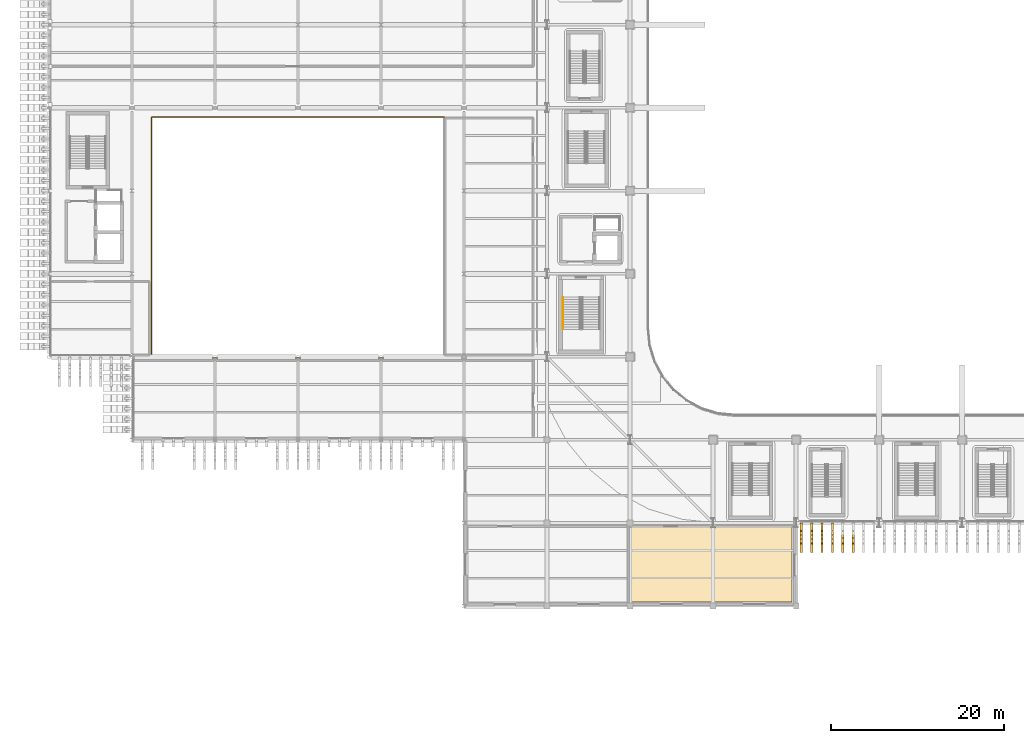
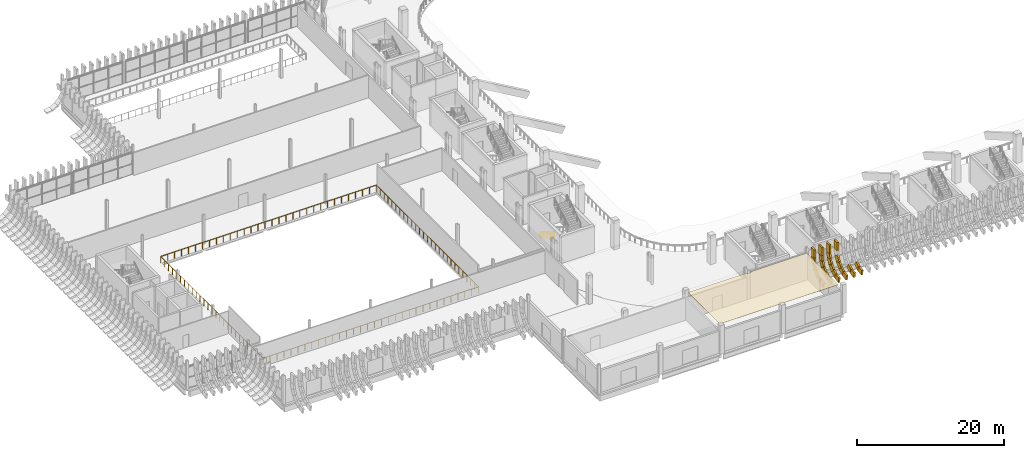
# One storey, part 70 of 100: 28 coverings, 2 railings.
"""IFC4 building model written with IfcOpenShell, lengths in metres."""

from ifc_helpers import new_model, si_unit, direction, frame, origin, origin_2d, place, context, subcontext, project, spatial, polyline, rectangle, circle, outline, extrude, material, layer, layer_set, material_profile, profile_set, type_object, element, save


model = new_model("IFC4")

# Units and contexts
model_context = context("Model", 3, precision=1e-05, world=origin(), true_north=direction((0.0, 1.0)))
body_context = subcontext(model_context, "Body", "Model", "MODEL_VIEW")
ifc_project = project(units=[si_unit("LENGTHUNIT", "METRE"), si_unit("AREAUNIT", "SQUARE_METRE"), si_unit("VOLUMEUNIT", "CUBIC_METRE"), si_unit("PLANEANGLEUNIT", "RADIAN"), si_unit("MASSUNIT", "GRAM", prefix="KILO")], contexts=[model_context])

# Site, building, storey
site_placement = place(None, origin())
site = spatial("IfcSite", under=ifc_project, at=site_placement, CompositionType="ELEMENT")
building_placement = place(site_placement, origin())
building = spatial("IfcBuilding", under=site, at=building_placement, Name="Caelomonte Colonnade Arena", CompositionType="ELEMENT")
storey_placement = place(building_placement, origin())
storey = spatial("IfcBuildingStorey", under=building, at=storey_placement, Name="L00", CompositionType="ELEMENT", Elevation=0.0)

# Coverings
ifc_material_1 = material(Name="Precast travertine cladding", Category="masonry")
ifc_material_profile = material_profile(ifc_material_1, rectangle(XDim=0.260009765625, YDim=0.85009765625, at=origin_2d()), Name="FIN260X850")
ifc_profile_set = profile_set([ifc_material_profile], Name="Precast travertine cladding")
covering_type_1 = type_object("IfcCoveringType", Name="ENV-FN-SKIRT", PredefinedType="CLADDING", material=ifc_profile_set)
covering_1_placement = place(storey_placement, frame((87.0, 18.779052734375, 3.360107421875), z_axis=(0.0, 0.0, 1.0), x_axis=(-1.0, 0.0, 0.0)))
element("IfcCovering", 1, at=covering_1_placement, inside=storey, type_object=covering_type_1, Name="V1 L00 upper classical fin stem 246", PredefinedType="CLADDING", context=body_context, shape_type="SweptSolid", body=[
    extrude(rectangle(XDim=0.260009765625, YDim=0.85009765625, at=origin_2d()), origin(), (0.0, 0.0, 1.0), 1.4599609375),
])
for number, where, z_axis, x_axis, name in (
    (2, (87.0, 18.785888671875, 3.474609375), (0.0, -0.153076342973, -0.988214366027), (-1.0, 0.0, 0.0), "V1 L00 splayed classical fin skirt chord 1 (246)"),
    (3, (87.0, 18.65869140625, 2.563232421875), (0.0, -0.444692864571, -0.89568312265), (-1.0, 0.0, 0.0), "V1 L00 splayed classical fin skirt chord 2 (246)"),
    (4, (87.0, 18.26171875, 1.733154296875), (0.0, -0.694646381209, -0.71935137803), (-1.0, 0.0, 0.0), "V1 L00 splayed classical fin skirt chord 3 (246)"),
):
    element("IfcCovering", number, at=place(storey_placement, frame(where, z_axis=z_axis, x_axis=x_axis)), inside=storey, type_object=covering_type_1, Name=name, PredefinedType="CLADDING", context=body_context, shape_type="SweptSolid", body=[
        extrude(rectangle(XDim=0.260009765625, YDim=0.85009765625, at=origin_2d()), origin(), (0.0, 0.0, 1.0), 1.008056640625),
    ])
covering_2_placement = place(storey_placement, frame((87.0, 17.63232421875, 1.061767578125), z_axis=(0.0, -0.879676382338, -0.475572772935), x_axis=(-1.0, 0.0, 0.0)))
element("IfcCovering", 5, at=covering_2_placement, inside=storey, type_object=covering_type_1, Name="V1 L00 splayed classical fin skirt chord 4 (246)", PredefinedType="CLADDING", context=body_context, shape_type="SweptSolid", body=[
    extrude(rectangle(XDim=0.260009765625, YDim=0.85009765625, at=origin_2d()), origin(), (0.0, 0.0, 1.0), 1.0078125),
])
covering_3_placement = place(storey_placement, frame((87.0, 16.82958984375, 0.6123046875), z_axis=(0.0, -0.982287485173, -0.187380085582), x_axis=(-1.0, 0.0, 0.0)))
element("IfcCovering", 6, at=covering_3_placement, inside=storey, type_object=covering_type_1, Name="V1 L00 splayed classical fin skirt chord 5 (246)", PredefinedType="CLADDING", context=body_context, shape_type="SweptSolid", body=[
    extrude(rectangle(XDim=0.260009765625, YDim=0.85009765625, at=origin_2d()), origin(), (0.0, 0.0, 1.0), 0.962890625),
])
covering_4_placement = place(storey_placement, frame((88.199951171875, 18.779052734375, 3.360107421875), z_axis=(0.0, 0.0, 1.0), x_axis=(-1.0, 0.0, 0.0)))
element("IfcCovering", 7, at=covering_4_placement, inside=storey, type_object=covering_type_1, Name="V1 L00 upper classical fin stem 247", PredefinedType="CLADDING", context=body_context, shape_type="SweptSolid", body=[
    extrude(rectangle(XDim=0.260009765625, YDim=0.85009765625, at=origin_2d()), origin(), (0.0, 0.0, 1.0), 1.4599609375),
])
for number, where, z_axis, x_axis, name in (
    (8, (88.199951171875, 18.785888671875, 3.474609375), (0.0, -0.153076342973, -0.988214366027), (-1.0, 0.0, 0.0), "V1 L00 splayed classical fin skirt chord 1 (247)"),
    (9, (88.199951171875, 18.65869140625, 2.563232421875), (0.0, -0.444692864571, -0.89568312265), (-1.0, 0.0, 0.0), "V1 L00 splayed classical fin skirt chord 2 (247)"),
    (10, (88.199951171875, 18.26171875, 1.733154296875), (0.0, -0.694646381209, -0.71935137803), (-1.0, 0.0, 0.0), "V1 L00 splayed classical fin skirt chord 3 (247)"),
):
    element("IfcCovering", number, at=place(storey_placement, frame(where, z_axis=z_axis, x_axis=x_axis)), inside=storey, type_object=covering_type_1, Name=name, PredefinedType="CLADDING", context=body_context, shape_type="SweptSolid", body=[
        extrude(rectangle(XDim=0.260009765625, YDim=0.85009765625, at=origin_2d()), origin(), (0.0, 0.0, 1.0), 1.008056640625),
    ])
covering_5_placement = place(storey_placement, frame((88.199951171875, 17.63232421875, 1.061767578125), z_axis=(0.0, -0.879676382338, -0.475572772935), x_axis=(-1.0, 0.0, 0.0)))
element("IfcCovering", 11, at=covering_5_placement, inside=storey, type_object=covering_type_1, Name="V1 L00 splayed classical fin skirt chord 4 (247)", PredefinedType="CLADDING", context=body_context, shape_type="SweptSolid", body=[
    extrude(rectangle(XDim=0.260009765625, YDim=0.85009765625, at=origin_2d()), origin(), (0.0, 0.0, 1.0), 1.0078125),
])
covering_6_placement = place(storey_placement, frame((88.199951171875, 16.82958984375, 0.6123046875), z_axis=(0.0, -0.982287485173, -0.187380085582), x_axis=(-1.0, 0.0, 0.0)))
element("IfcCovering", 12, at=covering_6_placement, inside=storey, type_object=covering_type_1, Name="V1 L00 splayed classical fin skirt chord 5 (247)", PredefinedType="CLADDING", context=body_context, shape_type="SweptSolid", body=[
    extrude(rectangle(XDim=0.260009765625, YDim=0.85009765625, at=origin_2d()), origin(), (0.0, 0.0, 1.0), 0.962890625),
])
covering_7_placement = place(storey_placement, frame((89.39990234375, 18.779052734375, 3.360107421875), z_axis=(0.0, 0.0, 1.0), x_axis=(-1.0, 0.0, 0.0)))
element("IfcCovering", 13, at=covering_7_placement, inside=storey, type_object=covering_type_1, Name="V1 L00 upper classical fin stem 248", PredefinedType="CLADDING", context=body_context, shape_type="SweptSolid", body=[
    extrude(rectangle(XDim=0.260009765625, YDim=0.85009765625, at=origin_2d()), origin(), (0.0, 0.0, 1.0), 1.4599609375),
])
for number, where, z_axis, x_axis, name in (
    (14, (89.39990234375, 18.785888671875, 3.474609375), (0.0, -0.153076342973, -0.988214366027), (-1.0, 0.0, 0.0), "V1 L00 splayed classical fin skirt chord 1 (248)"),
    (15, (89.39990234375, 18.65869140625, 2.563232421875), (0.0, -0.444692864571, -0.89568312265), (-1.0, 0.0, 0.0), "V1 L00 splayed classical fin skirt chord 2 (248)"),
    (16, (89.39990234375, 18.26171875, 1.733154296875), (0.0, -0.694646381209, -0.71935137803), (-1.0, 0.0, 0.0), "V1 L00 splayed classical fin skirt chord 3 (248)"),
):
    element("IfcCovering", number, at=place(storey_placement, frame(where, z_axis=z_axis, x_axis=x_axis)), inside=storey, type_object=covering_type_1, Name=name, PredefinedType="CLADDING", context=body_context, shape_type="SweptSolid", body=[
        extrude(rectangle(XDim=0.260009765625, YDim=0.85009765625, at=origin_2d()), origin(), (0.0, 0.0, 1.0), 1.008056640625),
    ])
covering_8_placement = place(storey_placement, frame((89.39990234375, 17.63232421875, 1.061767578125), z_axis=(0.0, -0.879676382338, -0.475572772935), x_axis=(-1.0, 0.0, 0.0)))
element("IfcCovering", 17, at=covering_8_placement, inside=storey, type_object=covering_type_1, Name="V1 L00 splayed classical fin skirt chord 4 (248)", PredefinedType="CLADDING", context=body_context, shape_type="SweptSolid", body=[
    extrude(rectangle(XDim=0.260009765625, YDim=0.85009765625, at=origin_2d()), origin(), (0.0, 0.0, 1.0), 1.0078125),
])
covering_9_placement = place(storey_placement, frame((89.39990234375, 16.82958984375, 0.6123046875), z_axis=(0.0, -0.982287485173, -0.187380085582), x_axis=(-1.0, 0.0, 0.0)))
element("IfcCovering", 18, at=covering_9_placement, inside=storey, type_object=covering_type_1, Name="V1 L00 splayed classical fin skirt chord 5 (248)", PredefinedType="CLADDING", context=body_context, shape_type="SweptSolid", body=[
    extrude(rectangle(XDim=0.260009765625, YDim=0.85009765625, at=origin_2d()), origin(), (0.0, 0.0, 1.0), 0.962890625),
])
covering_10_placement = place(storey_placement, frame((90.60009765625, 18.779052734375, 3.360107421875), z_axis=(0.0, 0.0, 1.0), x_axis=(-1.0, 0.0, 0.0)))
element("IfcCovering", 19, at=covering_10_placement, inside=storey, type_object=covering_type_1, Name="V1 L00 upper classical fin stem 249", PredefinedType="CLADDING", context=body_context, shape_type="SweptSolid", body=[
    extrude(rectangle(XDim=0.260009765625, YDim=0.85009765625, at=origin_2d()), origin(), (0.0, 0.0, 1.0), 1.4599609375),
])
for number, where, z_axis, x_axis, name in (
    (20, (90.60009765625, 18.65869140625, 2.563232421875), (0.0, -0.444692864571, -0.89568312265), (-1.0, 0.0, 0.0), "V1 L00 splayed classical fin skirt chord 2 (249)"),
    (21, (90.60009765625, 18.26171875, 1.733154296875), (0.0, -0.694646381209, -0.71935137803), (-1.0, 0.0, 0.0), "V1 L00 splayed classical fin skirt chord 3 (249)"),
):
    element("IfcCovering", number, at=place(storey_placement, frame(where, z_axis=z_axis, x_axis=x_axis)), inside=storey, type_object=covering_type_1, Name=name, PredefinedType="CLADDING", context=body_context, shape_type="SweptSolid", body=[
        extrude(rectangle(XDim=0.260009765625, YDim=0.85009765625, at=origin_2d()), origin(), (0.0, 0.0, 1.0), 1.008056640625),
    ])
covering_11_placement = place(storey_placement, frame((90.60009765625, 17.63232421875, 1.061767578125), z_axis=(0.0, -0.879676382338, -0.475572772935), x_axis=(-1.0, 0.0, 0.0)))
element("IfcCovering", 22, at=covering_11_placement, inside=storey, type_object=covering_type_1, Name="V1 L00 splayed classical fin skirt chord 4 (249)", PredefinedType="CLADDING", context=body_context, shape_type="SweptSolid", body=[
    extrude(rectangle(XDim=0.260009765625, YDim=0.85009765625, at=origin_2d()), origin(), (0.0, 0.0, 1.0), 1.0078125),
])
covering_12_placement = place(storey_placement, frame((90.60009765625, 16.82958984375, 0.6123046875), z_axis=(0.0, -0.982287485173, -0.187380085582), x_axis=(-1.0, 0.0, 0.0)))
element("IfcCovering", 23, at=covering_12_placement, inside=storey, type_object=covering_type_1, Name="V1 L00 splayed classical fin skirt chord 5 (249)", PredefinedType="CLADDING", context=body_context, shape_type="SweptSolid", body=[
    extrude(rectangle(XDim=0.260009765625, YDim=0.85009765625, at=origin_2d()), origin(), (0.0, 0.0, 1.0), 0.962890625),
])
covering_13_placement = place(storey_placement, frame((91.800048828125, 17.63232421875, 1.061767578125), z_axis=(0.0, -0.879676382338, -0.475572772935), x_axis=(-1.0, 0.0, 0.0)))
element("IfcCovering", 24, at=covering_13_placement, inside=storey, type_object=covering_type_1, Name="V1 L00 splayed classical fin skirt chord 4 (250)", PredefinedType="CLADDING", context=body_context, shape_type="SweptSolid", body=[
    extrude(rectangle(XDim=0.260009765625, YDim=0.85009765625, at=origin_2d()), origin(), (0.0, 0.0, 1.0), 1.0078125),
])
covering_14_placement = place(storey_placement, frame((91.800048828125, 16.82958984375, 0.6123046875), z_axis=(0.0, -0.982287485173, -0.187380085582), x_axis=(-1.0, 0.0, 0.0)))
element("IfcCovering", 25, at=covering_14_placement, inside=storey, type_object=covering_type_1, Name="V1 L00 splayed classical fin skirt chord 5 (250)", PredefinedType="CLADDING", context=body_context, shape_type="SweptSolid", body=[
    extrude(rectangle(XDim=0.260009765625, YDim=0.85009765625, at=origin_2d()), origin(), (0.0, 0.0, 1.0), 0.962890625),
])
covering_15_placement = place(storey_placement, frame((93.0, 17.63232421875, 1.061767578125), z_axis=(0.0, -0.879676382338, -0.475572772935), x_axis=(-1.0, 0.0, 0.0)))
element("IfcCovering", 26, at=covering_15_placement, inside=storey, type_object=covering_type_1, Name="V1 L00 splayed classical fin skirt chord 4 (251)", PredefinedType="CLADDING", context=body_context, shape_type="SweptSolid", body=[
    extrude(rectangle(XDim=0.260009765625, YDim=0.85009765625, at=origin_2d()), origin(), (0.0, 0.0, 1.0), 1.0078125),
])
covering_16_placement = place(storey_placement, frame((93.0, 16.82958984375, 0.6123046875), z_axis=(0.0, -0.982287485173, -0.187380085582), x_axis=(-1.0, 0.0, 0.0)))
element("IfcCovering", 27, at=covering_16_placement, inside=storey, type_object=covering_type_1, Name="V1 L00 splayed classical fin skirt chord 5 (251)", PredefinedType="CLADDING", context=body_context, shape_type="SweptSolid", body=[
    extrude(rectangle(XDim=0.260009765625, YDim=0.85009765625, at=origin_2d()), origin(), (0.0, 0.0, 1.0), 0.962890625),
])

# Railing
ifc_material_2 = material(Name="Painted galvanized steel handrail and posts", Category="steel")
railing_type_1 = type_object("IfcRailingType", Name="ENV-RL-GRD1", PredefinedType="GUARDRAIL", material=ifc_material_2)
railing_1_placement = place(storey_placement, frame((45.719970703125, 38.280029296875, 0.0)))
element("IfcRailing", 28, at=railing_1_placement, inside=storey, type_object=railing_type_1, Name="Practice court gallery guard 1", PredefinedType="GUARDRAIL", context=body_context, shape_type="SweptSolid", body=[
    extrude(circle(Radius=0.02392578125, at=origin_2d()), frame((0.0, 0.03125, 1.076171875), z_axis=(0.0, 1.0, 0.0), x_axis=(-1.0, 0.0, 0.0)), (0.0, 0.0, 1.0), 27.777587890625),
    extrude(circle(Radius=0.02392578125, at=origin_2d()), frame((-0.03125, 27.840087890625, 1.076171875), z_axis=(-1.0, 0.0, 0.0), x_axis=(0.0, -1.0, 0.0)), (0.0, 0.0, 1.0), 33.777587890625),
    extrude(circle(Radius=0.02392578125, at=origin_2d()), frame((-33.840087890625, 27.808837890625, 1.076171875), z_axis=(0.0, -1.0, 0.0), x_axis=(1.0, 0.0, 0.0)), (0.0, 0.0, 1.0), 27.777587890625),
    extrude(circle(Radius=0.02392578125, at=origin_2d()), frame((-33.808837890625, 0.0, 1.076171875), z_axis=(1.0, 0.0, 0.0), x_axis=(0.0, 1.0, 0.0)), (0.0, 0.0, 1.0), 33.777587890625),
    extrude(circle(Radius=0.02099609375, at=origin_2d()), origin(), (0.0, 0.0, 1.0), 1.048095703125),
    extrude(circle(Radius=0.02099609375, at=origin_2d()), frame((0.0, 1.07080078125, 0.0)), (0.0, 0.0, 1.0), 1.048095703125),
    extrude(circle(Radius=0.02099609375, at=origin_2d()), frame((0.0, 2.1416015625, 0.0)), (0.0, 0.0, 1.0), 1.048095703125),
    extrude(circle(Radius=0.02099609375, at=origin_2d()), frame((0.0, 3.21240234375, 0.0)), (0.0, 0.0, 1.0), 1.048095703125),
    extrude(circle(Radius=0.02099609375, at=origin_2d()), frame((0.0, 4.283203125, 0.0)), (0.0, 0.0, 1.0), 1.048095703125),
    extrude(circle(Radius=0.02099609375, at=origin_2d()), frame((0.0, 5.353759765625, 0.0)), (0.0, 0.0, 1.0), 1.048095703125),
    extrude(circle(Radius=0.02099609375, at=origin_2d()), frame((0.0, 6.424560546875, 0.0)), (0.0, 0.0, 1.0), 1.048095703125),
    extrude(circle(Radius=0.02099609375, at=origin_2d()), frame((0.0, 7.495361328125, 0.0)), (0.0, 0.0, 1.0), 1.048095703125),
    extrude(circle(Radius=0.02099609375, at=origin_2d()), frame((0.0, 8.566162109375, 0.0)), (0.0, 0.0, 1.0), 1.048095703125),
    extrude(circle(Radius=0.02099609375, at=origin_2d()), frame((0.0, 9.636962890625, 0.0)), (0.0, 0.0, 1.0), 1.048095703125),
    extrude(circle(Radius=0.02099609375, at=origin_2d()), frame((0.0, 10.707763671875, 0.0)), (0.0, 0.0, 1.0), 1.048095703125),
    extrude(circle(Radius=0.02099609375, at=origin_2d()), frame((0.0, 11.778564453125, 0.0)), (0.0, 0.0, 1.0), 1.048095703125),
    extrude(circle(Radius=0.02099609375, at=origin_2d()), frame((0.0, 12.849365234375, 0.0)), (0.0, 0.0, 1.0), 1.048095703125),
    extrude(circle(Radius=0.02099609375, at=origin_2d()), frame((0.0, 13.919921875, 0.0)), (0.0, 0.0, 1.0), 1.048095703125),
    extrude(circle(Radius=0.02099609375, at=origin_2d()), frame((0.0, 14.99072265625, 0.0)), (0.0, 0.0, 1.0), 1.048095703125),
    extrude(circle(Radius=0.02099609375, at=origin_2d()), frame((0.0, 16.0615234375, 0.0)), (0.0, 0.0, 1.0), 1.048095703125),
    extrude(circle(Radius=0.02099609375, at=origin_2d()), frame((0.0, 17.13232421875, 0.0)), (0.0, 0.0, 1.0), 1.048095703125),
    extrude(circle(Radius=0.02099609375, at=origin_2d()), frame((0.0, 18.203125, 0.0)), (0.0, 0.0, 1.0), 1.048095703125),
    extrude(circle(Radius=0.02099609375, at=origin_2d()), frame((0.0, 19.27392578125, 0.0)), (0.0, 0.0, 1.0), 1.048095703125),
    extrude(circle(Radius=0.02099609375, at=origin_2d()), frame((0.0, 20.3447265625, 0.0)), (0.0, 0.0, 1.0), 1.048095703125),
    extrude(circle(Radius=0.02099609375, at=origin_2d()), frame((0.0, 21.41552734375, 0.0)), (0.0, 0.0, 1.0), 1.048095703125),
    extrude(circle(Radius=0.02099609375, at=origin_2d()), frame((0.0, 22.486328125, 0.0)), (0.0, 0.0, 1.0), 1.048095703125),
    extrude(circle(Radius=0.02099609375, at=origin_2d()), frame((0.0, 23.556884765625, 0.0)), (0.0, 0.0, 1.0), 1.048095703125),
    extrude(circle(Radius=0.02099609375, at=origin_2d()), frame((0.0, 24.627685546875, 0.0)), (0.0, 0.0, 1.0), 1.048095703125),
    extrude(circle(Radius=0.02099609375, at=origin_2d()), frame((0.0, 25.698486328125, 0.0)), (0.0, 0.0, 1.0), 1.048095703125),
    extrude(circle(Radius=0.02099609375, at=origin_2d()), frame((0.0, 26.769287109375, 0.0)), (0.0, 0.0, 1.0), 1.048095703125),
    extrude(circle(Radius=0.02099609375, at=origin_2d()), frame((0.0, 27.840087890625, 0.0)), (0.0, 0.0, 1.0), 1.048095703125),
    extrude(circle(Radius=0.02099609375, at=origin_2d()), frame((-1.091552734375, 27.840087890625, 0.0)), (0.0, 0.0, 1.0), 1.048095703125),
    extrude(circle(Radius=0.02099609375, at=origin_2d()), frame((-2.183349609375, 27.840087890625, 0.0)), (0.0, 0.0, 1.0), 1.048095703125),
    extrude(circle(Radius=0.02099609375, at=origin_2d()), frame((-3.27490234375, 27.840087890625, 0.0)), (0.0, 0.0, 1.0), 1.048095703125),
    extrude(circle(Radius=0.02099609375, at=origin_2d()), frame((-4.366455078125, 27.840087890625, 0.0)), (0.0, 0.0, 1.0), 1.048095703125),
    extrude(circle(Radius=0.02099609375, at=origin_2d()), frame((-5.4580078125, 27.840087890625, 0.0)), (0.0, 0.0, 1.0), 1.048095703125),
    extrude(circle(Radius=0.02099609375, at=origin_2d()), frame((-6.5498046875, 27.840087890625, 0.0)), (0.0, 0.0, 1.0), 1.048095703125),
    extrude(circle(Radius=0.02099609375, at=origin_2d()), frame((-7.641357421875, 27.840087890625, 0.0)), (0.0, 0.0, 1.0), 1.048095703125),
    extrude(circle(Radius=0.02099609375, at=origin_2d()), frame((-8.73291015625, 27.840087890625, 0.0)), (0.0, 0.0, 1.0), 1.048095703125),
    extrude(circle(Radius=0.02099609375, at=origin_2d()), frame((-9.824462890625, 27.840087890625, 0.0)), (0.0, 0.0, 1.0), 1.048095703125),
    extrude(circle(Radius=0.02099609375, at=origin_2d()), frame((-10.916259765625, 27.840087890625, 0.0)), (0.0, 0.0, 1.0), 1.048095703125),
    extrude(circle(Radius=0.02099609375, at=origin_2d()), frame((-12.0078125, 27.840087890625, 0.0)), (0.0, 0.0, 1.0), 1.048095703125),
    extrude(circle(Radius=0.02099609375, at=origin_2d()), frame((-13.099365234375, 27.840087890625, 0.0)), (0.0, 0.0, 1.0), 1.048095703125),
    extrude(circle(Radius=0.02099609375, at=origin_2d()), frame((-14.19091796875, 27.840087890625, 0.0)), (0.0, 0.0, 1.0), 1.048095703125),
    extrude(circle(Radius=0.02099609375, at=origin_2d()), frame((-15.28271484375, 27.840087890625, 0.0)), (0.0, 0.0, 1.0), 1.048095703125),
    extrude(circle(Radius=0.02099609375, at=origin_2d()), frame((-16.374267578125, 27.840087890625, 0.0)), (0.0, 0.0, 1.0), 1.048095703125),
    extrude(circle(Radius=0.02099609375, at=origin_2d()), frame((-17.4658203125, 27.840087890625, 0.0)), (0.0, 0.0, 1.0), 1.048095703125),
    extrude(circle(Radius=0.02099609375, at=origin_2d()), frame((-18.557373046875, 27.840087890625, 0.0)), (0.0, 0.0, 1.0), 1.048095703125),
    extrude(circle(Radius=0.02099609375, at=origin_2d()), frame((-19.649169921875, 27.840087890625, 0.0)), (0.0, 0.0, 1.0), 1.048095703125),
    extrude(circle(Radius=0.02099609375, at=origin_2d()), frame((-20.74072265625, 27.840087890625, 0.0)), (0.0, 0.0, 1.0), 1.048095703125),
    extrude(circle(Radius=0.02099609375, at=origin_2d()), frame((-21.832275390625, 27.840087890625, 0.0)), (0.0, 0.0, 1.0), 1.048095703125),
    extrude(circle(Radius=0.02099609375, at=origin_2d()), frame((-22.923828125, 27.840087890625, 0.0)), (0.0, 0.0, 1.0), 1.048095703125),
    extrude(circle(Radius=0.02099609375, at=origin_2d()), frame((-24.015625, 27.840087890625, 0.0)), (0.0, 0.0, 1.0), 1.048095703125),
    extrude(circle(Radius=0.02099609375, at=origin_2d()), frame((-25.107177734375, 27.840087890625, 0.0)), (0.0, 0.0, 1.0), 1.048095703125),
    extrude(circle(Radius=0.02099609375, at=origin_2d()), frame((-26.19873046875, 27.840087890625, 0.0)), (0.0, 0.0, 1.0), 1.048095703125),
    extrude(circle(Radius=0.02099609375, at=origin_2d()), frame((-27.290283203125, 27.840087890625, 0.0)), (0.0, 0.0, 1.0), 1.048095703125),
    extrude(circle(Radius=0.02099609375, at=origin_2d()), frame((-28.382080078125, 27.840087890625, 0.0)), (0.0, 0.0, 1.0), 1.048095703125),
    extrude(circle(Radius=0.02099609375, at=origin_2d()), frame((-29.4736328125, 27.840087890625, 0.0)), (0.0, 0.0, 1.0), 1.048095703125),
    extrude(circle(Radius=0.02099609375, at=origin_2d()), frame((-30.565185546875, 27.840087890625, 0.0)), (0.0, 0.0, 1.0), 1.048095703125),
    extrude(circle(Radius=0.02099609375, at=origin_2d()), frame((-31.65673828125, 27.840087890625, 0.0)), (0.0, 0.0, 1.0), 1.048095703125),
    extrude(circle(Radius=0.02099609375, at=origin_2d()), frame((-32.74853515625, 27.840087890625, 0.0)), (0.0, 0.0, 1.0), 1.048095703125),
    extrude(circle(Radius=0.02099609375, at=origin_2d()), frame((-33.840087890625, 27.840087890625, 0.0)), (0.0, 0.0, 1.0), 1.048095703125),
    extrude(circle(Radius=0.02099609375, at=origin_2d()), frame((-33.840087890625, 26.769287109375, 0.0)), (0.0, 0.0, 1.0), 1.048095703125),
    extrude(circle(Radius=0.02099609375, at=origin_2d()), frame((-33.840087890625, 25.698486328125, 0.0)), (0.0, 0.0, 1.0), 1.048095703125),
    extrude(circle(Radius=0.02099609375, at=origin_2d()), frame((-33.840087890625, 24.627685546875, 0.0)), (0.0, 0.0, 1.0), 1.048095703125),
    extrude(circle(Radius=0.02099609375, at=origin_2d()), frame((-33.840087890625, 23.556884765625, 0.0)), (0.0, 0.0, 1.0), 1.048095703125),
    extrude(circle(Radius=0.02099609375, at=origin_2d()), frame((-33.840087890625, 22.486328125, 0.0)), (0.0, 0.0, 1.0), 1.048095703125),
    extrude(circle(Radius=0.02099609375, at=origin_2d()), frame((-33.840087890625, 21.41552734375, 0.0)), (0.0, 0.0, 1.0), 1.048095703125),
    extrude(circle(Radius=0.02099609375, at=origin_2d()), frame((-33.840087890625, 20.3447265625, 0.0)), (0.0, 0.0, 1.0), 1.048095703125),
    extrude(circle(Radius=0.02099609375, at=origin_2d()), frame((-33.840087890625, 19.27392578125, 0.0)), (0.0, 0.0, 1.0), 1.048095703125),
    extrude(circle(Radius=0.02099609375, at=origin_2d()), frame((-33.840087890625, 18.203125, 0.0)), (0.0, 0.0, 1.0), 1.048095703125),
    extrude(circle(Radius=0.02099609375, at=origin_2d()), frame((-33.840087890625, 17.13232421875, 0.0)), (0.0, 0.0, 1.0), 1.048095703125),
    extrude(circle(Radius=0.02099609375, at=origin_2d()), frame((-33.840087890625, 16.0615234375, 0.0)), (0.0, 0.0, 1.0), 1.048095703125),
    extrude(circle(Radius=0.02099609375, at=origin_2d()), frame((-33.840087890625, 14.99072265625, 0.0)), (0.0, 0.0, 1.0), 1.048095703125),
    extrude(circle(Radius=0.02099609375, at=origin_2d()), frame((-33.840087890625, 13.919921875, 0.0)), (0.0, 0.0, 1.0), 1.048095703125),
    extrude(circle(Radius=0.02099609375, at=origin_2d()), frame((-33.840087890625, 12.849365234375, 0.0)), (0.0, 0.0, 1.0), 1.048095703125),
    extrude(circle(Radius=0.02099609375, at=origin_2d()), frame((-33.840087890625, 11.778564453125, 0.0)), (0.0, 0.0, 1.0), 1.048095703125),
    extrude(circle(Radius=0.02099609375, at=origin_2d()), frame((-33.840087890625, 10.707763671875, 0.0)), (0.0, 0.0, 1.0), 1.048095703125),
    extrude(circle(Radius=0.02099609375, at=origin_2d()), frame((-33.840087890625, 9.636962890625, 0.0)), (0.0, 0.0, 1.0), 1.048095703125),
    extrude(circle(Radius=0.02099609375, at=origin_2d()), frame((-33.840087890625, 8.566162109375, 0.0)), (0.0, 0.0, 1.0), 1.048095703125),
    extrude(circle(Radius=0.02099609375, at=origin_2d()), frame((-33.840087890625, 7.495361328125, 0.0)), (0.0, 0.0, 1.0), 1.048095703125),
    extrude(circle(Radius=0.02099609375, at=origin_2d()), frame((-33.840087890625, 6.424560546875, 0.0)), (0.0, 0.0, 1.0), 1.048095703125),
    extrude(circle(Radius=0.02099609375, at=origin_2d()), frame((-33.840087890625, 5.353759765625, 0.0)), (0.0, 0.0, 1.0), 1.048095703125),
    extrude(circle(Radius=0.02099609375, at=origin_2d()), frame((-33.840087890625, 4.283203125, 0.0)), (0.0, 0.0, 1.0), 1.048095703125),
    extrude(circle(Radius=0.02099609375, at=origin_2d()), frame((-33.840087890625, 3.21240234375, 0.0)), (0.0, 0.0, 1.0), 1.048095703125),
    extrude(circle(Radius=0.02099609375, at=origin_2d()), frame((-33.840087890625, 2.1416015625, 0.0)), (0.0, 0.0, 1.0), 1.048095703125),
    extrude(circle(Radius=0.02099609375, at=origin_2d()), frame((-33.840087890625, 1.07080078125, 0.0)), (0.0, 0.0, 1.0), 1.048095703125),
    extrude(circle(Radius=0.02099609375, at=origin_2d()), frame((-33.840087890625, 0.0, 0.0)), (0.0, 0.0, 1.0), 1.048095703125),
    extrude(circle(Radius=0.02099609375, at=origin_2d()), frame((-32.74853515625, 0.0, 0.0)), (0.0, 0.0, 1.0), 1.048095703125),
    extrude(circle(Radius=0.02099609375, at=origin_2d()), frame((-31.65673828125, 0.0, 0.0)), (0.0, 0.0, 1.0), 1.048095703125),
    extrude(circle(Radius=0.02099609375, at=origin_2d()), frame((-30.565185546875, 0.0, 0.0)), (0.0, 0.0, 1.0), 1.048095703125),
    extrude(circle(Radius=0.02099609375, at=origin_2d()), frame((-29.4736328125, 0.0, 0.0)), (0.0, 0.0, 1.0), 1.048095703125),
    extrude(circle(Radius=0.02099609375, at=origin_2d()), frame((-28.382080078125, 0.0, 0.0)), (0.0, 0.0, 1.0), 1.048095703125),
    extrude(circle(Radius=0.02099609375, at=origin_2d()), frame((-27.290283203125, 0.0, 0.0)), (0.0, 0.0, 1.0), 1.048095703125),
    extrude(circle(Radius=0.02099609375, at=origin_2d()), frame((-26.19873046875, 0.0, 0.0)), (0.0, 0.0, 1.0), 1.048095703125),
    extrude(circle(Radius=0.02099609375, at=origin_2d()), frame((-25.107177734375, 0.0, 0.0)), (0.0, 0.0, 1.0), 1.048095703125),
    extrude(circle(Radius=0.02099609375, at=origin_2d()), frame((-24.015625, 0.0, 0.0)), (0.0, 0.0, 1.0), 1.048095703125),
    extrude(circle(Radius=0.02099609375, at=origin_2d()), frame((-22.923828125, 0.0, 0.0)), (0.0, 0.0, 1.0), 1.048095703125),
    extrude(circle(Radius=0.02099609375, at=origin_2d()), frame((-21.832275390625, 0.0, 0.0)), (0.0, 0.0, 1.0), 1.048095703125),
    extrude(circle(Radius=0.02099609375, at=origin_2d()), frame((-20.74072265625, 0.0, 0.0)), (0.0, 0.0, 1.0), 1.048095703125),
    extrude(circle(Radius=0.02099609375, at=origin_2d()), frame((-19.649169921875, 0.0, 0.0)), (0.0, 0.0, 1.0), 1.048095703125),
    extrude(circle(Radius=0.02099609375, at=origin_2d()), frame((-18.557373046875, 0.0, 0.0)), (0.0, 0.0, 1.0), 1.048095703125),
    extrude(circle(Radius=0.02099609375, at=origin_2d()), frame((-17.4658203125, 0.0, 0.0)), (0.0, 0.0, 1.0), 1.048095703125),
    extrude(circle(Radius=0.02099609375, at=origin_2d()), frame((-16.374267578125, 0.0, 0.0)), (0.0, 0.0, 1.0), 1.048095703125),
    extrude(circle(Radius=0.02099609375, at=origin_2d()), frame((-15.28271484375, 0.0, 0.0)), (0.0, 0.0, 1.0), 1.048095703125),
    extrude(circle(Radius=0.02099609375, at=origin_2d()), frame((-14.19091796875, 0.0, 0.0)), (0.0, 0.0, 1.0), 1.048095703125),
    extrude(circle(Radius=0.02099609375, at=origin_2d()), frame((-13.099365234375, 0.0, 0.0)), (0.0, 0.0, 1.0), 1.048095703125),
    extrude(circle(Radius=0.02099609375, at=origin_2d()), frame((-12.0078125, 0.0, 0.0)), (0.0, 0.0, 1.0), 1.048095703125),
    extrude(circle(Radius=0.02099609375, at=origin_2d()), frame((-10.916259765625, 0.0, 0.0)), (0.0, 0.0, 1.0), 1.048095703125),
    extrude(circle(Radius=0.02099609375, at=origin_2d()), frame((-9.824462890625, 0.0, 0.0)), (0.0, 0.0, 1.0), 1.048095703125),
    extrude(circle(Radius=0.02099609375, at=origin_2d()), frame((-8.73291015625, 0.0, 0.0)), (0.0, 0.0, 1.0), 1.048095703125),
    extrude(circle(Radius=0.02099609375, at=origin_2d()), frame((-7.641357421875, 0.0, 0.0)), (0.0, 0.0, 1.0), 1.048095703125),
    extrude(circle(Radius=0.02099609375, at=origin_2d()), frame((-6.5498046875, 0.0, 0.0)), (0.0, 0.0, 1.0), 1.048095703125),
    extrude(circle(Radius=0.02099609375, at=origin_2d()), frame((-5.4580078125, 0.0, 0.0)), (0.0, 0.0, 1.0), 1.048095703125),
    extrude(circle(Radius=0.02099609375, at=origin_2d()), frame((-4.366455078125, 0.0, 0.0)), (0.0, 0.0, 1.0), 1.048095703125),
    extrude(circle(Radius=0.02099609375, at=origin_2d()), frame((-3.27490234375, 0.0, 0.0)), (0.0, 0.0, 1.0), 1.048095703125),
    extrude(circle(Radius=0.02099609375, at=origin_2d()), frame((-2.183349609375, 0.0, 0.0)), (0.0, 0.0, 1.0), 1.048095703125),
    extrude(circle(Radius=0.02099609375, at=origin_2d()), frame((-1.091552734375, 0.0, 0.0)), (0.0, 0.0, 1.0), 1.048095703125),
])

# Covering
ifc_material_3 = material(Name="Perforated acoustic mineral-fibre ceiling")
ifc_layer = layer(ifc_material_3, 0.0400390625)
ifc_layer_set = layer_set([ifc_layer], Name="Perforated acoustic mineral-fibre ceiling")
covering_type_2 = type_object("IfcCoveringType", Name="INT-CV-CEIL1", PredefinedType="CEILING", material=ifc_layer_set)
covering_17_placement = place(storey_placement, frame((0.0, 0.0, 4.419921875)))
element("IfcCovering", 29, at=covering_17_placement, inside=storey, type_object=covering_type_2, Name="L00 Team Shop acoustic ceiling", PredefinedType="CEILING", context=body_context, shape_type="SweptSolid", body=[
    extrude(outline(polyline([(77.036376953125, 18.584716796875), (77.028564453125, 18.584228515625), (76.571533203125, 18.584228515625), (76.563720703125, 18.584716796875), (76.555908203125, 18.585693359375), (76.54833984375, 18.587646484375), (76.541015625, 18.59033203125), (76.53369140625, 18.59375), (76.527099609375, 18.597900390625), (76.520751953125, 18.6025390625), (76.514892578125, 18.607666015625), (76.509765625, 18.613525390625), (76.5048828125, 18.619873046875), (76.5009765625, 18.626708984375), (76.49755859375, 18.6337890625), (76.494873046875, 18.64111328125), (76.492919921875, 18.648681640625), (76.491943359375, 18.656494140625), (76.491455078125, 18.664306640625), (76.491455078125, 18.719970703125), (67.280029296875, 18.719970703125), (67.280029296875, 10.080078125), (85.919921875, 10.080078125), (85.919921875, 18.719970703125), (77.1083984375, 18.719970703125), (77.1083984375, 18.664306640625), (77.108154296875, 18.656494140625), (77.10693359375, 18.648681640625), (77.10498046875, 18.64111328125), (77.102294921875, 18.6337890625), (77.09912109375, 18.626708984375), (77.094970703125, 18.619873046875), (77.09033203125, 18.613525390625), (77.085205078125, 18.607666015625), (77.079345703125, 18.6025390625), (77.072998046875, 18.597900390625), (77.066162109375, 18.59375), (77.05908203125, 18.59033203125), (77.0517578125, 18.587646484375), (77.044189453125, 18.585693359375), (77.036376953125, 18.584716796875)])), origin(), (0.0, 0.0, 1.0), 0.0400390625),
])

# Railing
ifc_material_4 = material(Name="Brushed stainless steel stair handrail", Category="steel")
railing_type_2 = type_object("IfcRailingType", Name="INT-RL-HR", PredefinedType="HANDRAIL", material=ifc_material_4)
railing_2_placement = place(storey_placement, frame((59.449951171875, 45.300048828125, 0.17138671875)))
element("IfcRailing", 30, at=railing_2_placement, inside=storey, type_object=railing_type_2, Name="L00 ST-01 stair handrail 1", PredefinedType="HANDRAIL", context=body_context, shape_type="SweptSolid", body=[
    extrude(circle(Radius=0.02392578125, at=origin_2d()), frame((0.0, 0.0, 0.8759765625), z_axis=(0.0, -0.856934400257, 0.515425487977), x_axis=(1.0, 0.0, 0.0)), (0.0, 0.0, 1.0), 4.32373046875),
    extrude(circle(Radius=0.02099609375, at=origin_2d()), origin(), (0.0, 0.0, 1.0), 0.847900390625),
    extrude(circle(Radius=0.02099609375, at=origin_2d()), frame((0.0, -0.92626953125, 0.55712890625)), (0.0, 0.0, 1.0), 0.847900390625),
    extrude(circle(Radius=0.02099609375, at=origin_2d()), frame((0.0, -1.8525390625, 1.1142578125)), (0.0, 0.0, 1.0), 0.847900390625),
    extrude(circle(Radius=0.02099609375, at=origin_2d()), frame((0.0, -2.77880859375, 1.67138671875)), (0.0, 0.0, 1.0), 0.847900390625),
    extrude(circle(Radius=0.02099609375, at=origin_2d()), frame((0.0, -3.705078125, 2.228515625)), (0.0, 0.0, 1.0), 0.847900390625),
])

save(model, "model.ifc")
